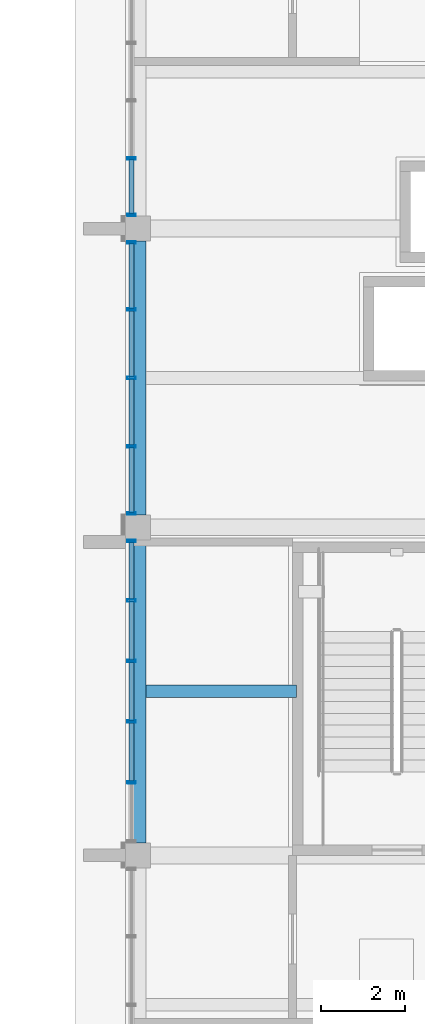
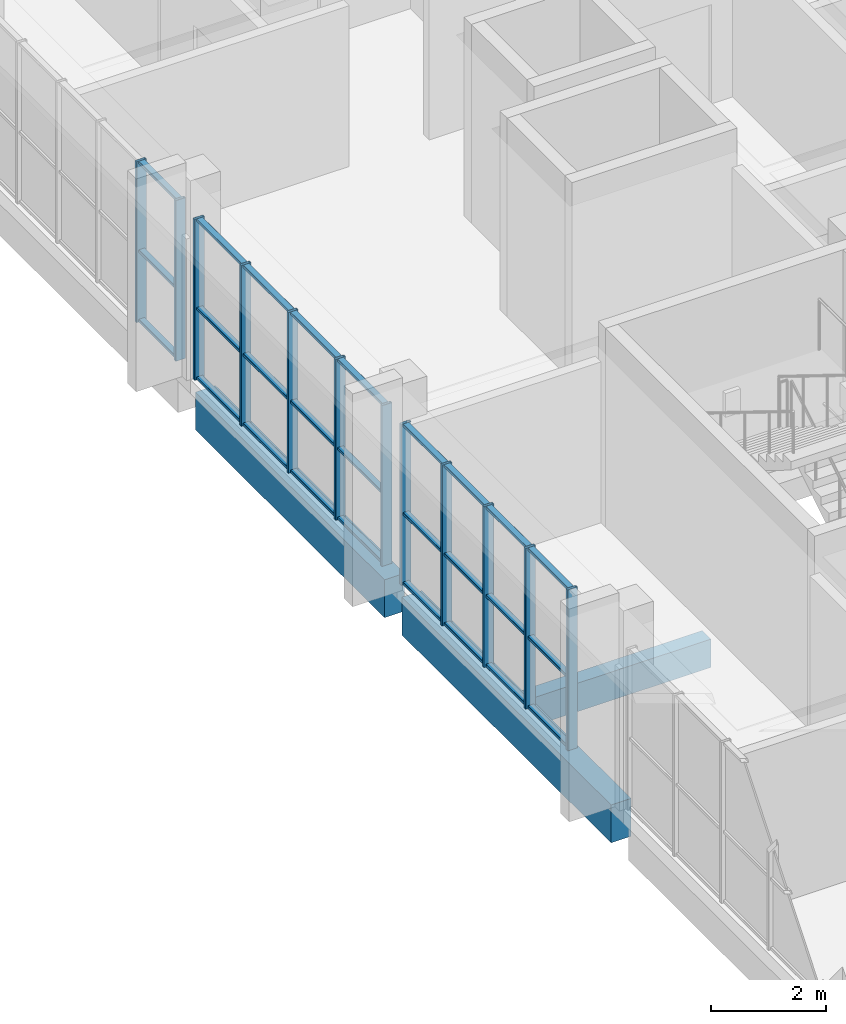
# One storey, part 11 of 42: 39 members, 3 beams, 3 elements without a shape of their own.
"""IFC4 building model written with IfcOpenShell, lengths in metres."""

from ifc_helpers import new_model, si_unit, direction, frame, origin, origin_2d, place, context, subcontext, project, spatial, rectangle, hollow_rectangle, extrude, material, material_profile, profile_set, type_object, element, aggregate, save


model = new_model("IFC4")

# Units and contexts
model_context = context("Model", 3, precision=1e-05, world=origin(), true_north=direction((0.0, 1.0)))
body_context = subcontext(model_context, "Body", "Model", "MODEL_VIEW")
ifc_project = project(units=[si_unit("LENGTHUNIT", "METRE"), si_unit("AREAUNIT", "SQUARE_METRE"), si_unit("VOLUMEUNIT", "CUBIC_METRE"), si_unit("PLANEANGLEUNIT", "RADIAN"), si_unit("MASSUNIT", "GRAM", prefix="KILO")], contexts=[model_context])

# Site, building, storey
site_placement = place(None, origin())
site = spatial("IfcSite", under=ifc_project, at=site_placement, CompositionType="ELEMENT")
building_placement = place(site_placement, origin())
building = spatial("IfcBuilding", under=site, at=building_placement, Name="Sun Court Science Centre", CompositionType="ELEMENT")
storey_placement = place(building_placement, frame((0.0, 0.0, 20.25)))
storey = spatial("IfcBuildingStorey", under=building, at=storey_placement, Name="L04", CompositionType="ELEMENT", Elevation=20.25)

# Curtain wall, members
ifc_material_1 = material(Name="Aluminium EN AW-6063 T6", Category="aluminium")
curtain_wall_type = type_object("IfcCurtainWallType", Name="Laboratory tall bay curtain wall 1500", PredefinedType="NOTDEFINED", material=ifc_material_1)
curtain_wall_1_placement = place(storey_placement, origin())
curtain_wall_1 = element("IfcCurtainWall", 1, at=curtain_wall_1_placement, inside=storey, type_object=curtain_wall_type, Name="Curtain wall V4 W L04 02", PredefinedType="NOTDEFINED")
ifc_material_2 = material(Name="Aluminium EN AW-6063 T6", Category="aluminium")
ifc_material_profile_1 = material_profile(ifc_material_2, hollow_rectangle(XDim=0.06005859375, YDim=0.199951171875, WallThickness=0.0048828125, InnerFilletRadius=0.0048828125, OuterFilletRadius=0.007568359375, at=origin_2d()), Name="AL 60x200x5")
ifc_profile_set_1 = profile_set([ifc_material_profile_1], Name="Aluminium EN AW-6063 T6")
member_type_1 = type_object("IfcMemberType", Name="Curtain wall mullion AL 60x200", PredefinedType="MULLION", material=ifc_profile_set_1)
member_1_placement = place(storey_placement, frame((78.14990234375, 37.75, 0.0), z_axis=(0.0, 0.0, 1.0), x_axis=(0.0, 1.0, 0.0)))
member_1 = element("IfcMember", 2, at=member_1_placement, type_object=member_type_1, Name="CW2-38 mullion 2", PredefinedType="MULLION", context=body_context, shape_type="SweptSolid", body=[
    extrude(hollow_rectangle(XDim=0.06005859375, YDim=0.199951171875, WallThickness=0.0048828125, InnerFilletRadius=0.0048828125, OuterFilletRadius=0.007568359375, at=origin_2d()), origin(), (0.0, 0.0, 1.0), 3.39990234375),
])
member_2_placement = place(storey_placement, frame((78.14990234375, 39.199951171875, 0.0), z_axis=(0.0, 0.0, 1.0), x_axis=(0.0, 1.0, 0.0)))
member_2 = element("IfcMember", 3, at=member_2_placement, type_object=member_type_1, Name="CW2-38 mullion 3", PredefinedType="MULLION", context=body_context, shape_type="SweptSolid", body=[
    extrude(hollow_rectangle(XDim=0.06005859375, YDim=0.199951171875, WallThickness=0.0048828125, InnerFilletRadius=0.0048828125, OuterFilletRadius=0.007568359375, at=origin_2d()), origin(), (0.0, 0.0, 1.0), 3.39990234375),
])
member_3_placement = place(storey_placement, frame((78.14990234375, 40.64990234375, 0.0), z_axis=(0.0, 0.0, 1.0), x_axis=(0.0, 1.0, 0.0)))
member_3 = element("IfcMember", 4, at=member_3_placement, type_object=member_type_1, Name="CW2-38 mullion 4", PredefinedType="MULLION", context=body_context, shape_type="SweptSolid", body=[
    extrude(hollow_rectangle(XDim=0.06005859375, YDim=0.199951171875, WallThickness=0.0048828125, InnerFilletRadius=0.0048828125, OuterFilletRadius=0.007568359375, at=origin_2d()), origin(), (0.0, 0.0, 1.0), 3.39990234375),
])
member_4_placement = place(storey_placement, frame((78.14990234375, 42.10009765625, 0.0), z_axis=(0.0, 0.0, 1.0), x_axis=(0.0, 1.0, 0.0)))
member_4 = element("IfcMember", 5, at=member_4_placement, type_object=member_type_1, Name="CW2-38 mullion 5", PredefinedType="MULLION", context=body_context, shape_type="SweptSolid", body=[
    extrude(hollow_rectangle(XDim=0.06005859375, YDim=0.199951171875, WallThickness=0.0048828125, InnerFilletRadius=0.0048828125, OuterFilletRadius=0.007568359375, at=origin_2d()), origin(), (0.0, 0.0, 1.0), 3.39990234375),
])
member_5_placement = place(storey_placement, frame((78.14990234375, 43.52001953125, 0.0), z_axis=(0.0, 0.0, 1.0), x_axis=(0.0, 1.0, 0.0)))
member_5 = element("IfcMember", 6, at=member_5_placement, type_object=member_type_1, Name="CW2-38 mullion 6", PredefinedType="MULLION", context=body_context, shape_type="SweptSolid", body=[
    extrude(hollow_rectangle(XDim=0.06005859375, YDim=0.199951171875, WallThickness=0.0048828125, InnerFilletRadius=0.0048828125, OuterFilletRadius=0.007568359375, at=origin_2d()), origin(), (0.0, 0.0, 1.0), 3.39990234375),
])

curtain_wall_2_placement = place(storey_placement, origin())
curtain_wall_2 = element("IfcCurtainWall", 7, at=curtain_wall_2_placement, inside=storey, type_object=curtain_wall_type, Name="Curtain wall V4 W L04 03", PredefinedType="NOTDEFINED")
member_6_placement = place(storey_placement, frame((78.14990234375, 44.179931640625, 0.0), z_axis=(0.0, 0.0, 1.0), x_axis=(0.0, 1.0, 0.0)))
member_6 = element("IfcMember", 8, at=member_6_placement, type_object=member_type_1, Name="CW2-39 mullion 1", PredefinedType="MULLION", context=body_context, shape_type="SweptSolid", body=[
    extrude(hollow_rectangle(XDim=0.06005859375, YDim=0.199951171875, WallThickness=0.0048828125, InnerFilletRadius=0.0048828125, OuterFilletRadius=0.007568359375, at=origin_2d()), origin(), (0.0, 0.0, 1.0), 3.39990234375),
])
member_7_placement = place(storey_placement, frame((78.14990234375, 45.78759765625, 0.0), z_axis=(0.0, 0.0, 1.0), x_axis=(0.0, 1.0, 0.0)))
member_7 = element("IfcMember", 9, at=member_7_placement, type_object=member_type_1, Name="CW2-39 mullion 2", PredefinedType="MULLION", context=body_context, shape_type="SweptSolid", body=[
    extrude(hollow_rectangle(XDim=0.06005859375, YDim=0.199951171875, WallThickness=0.0048828125, InnerFilletRadius=0.0048828125, OuterFilletRadius=0.007568359375, at=origin_2d()), origin(), (0.0, 0.0, 1.0), 3.39990234375),
])
member_8_placement = place(storey_placement, frame((78.14990234375, 47.425048828125, 0.0), z_axis=(0.0, 0.0, 1.0), x_axis=(0.0, 1.0, 0.0)))
member_8 = element("IfcMember", 10, at=member_8_placement, type_object=member_type_1, Name="CW2-39 mullion 3", PredefinedType="MULLION", context=body_context, shape_type="SweptSolid", body=[
    extrude(hollow_rectangle(XDim=0.06005859375, YDim=0.199951171875, WallThickness=0.0048828125, InnerFilletRadius=0.0048828125, OuterFilletRadius=0.007568359375, at=origin_2d()), origin(), (0.0, 0.0, 1.0), 3.39990234375),
])
member_9_placement = place(storey_placement, frame((78.14990234375, 49.0625, 0.0), z_axis=(0.0, 0.0, 1.0), x_axis=(0.0, 1.0, 0.0)))
member_9 = element("IfcMember", 11, at=member_9_placement, type_object=member_type_1, Name="CW2-39 mullion 4", PredefinedType="MULLION", context=body_context, shape_type="SweptSolid", body=[
    extrude(hollow_rectangle(XDim=0.06005859375, YDim=0.199951171875, WallThickness=0.0048828125, InnerFilletRadius=0.0048828125, OuterFilletRadius=0.007568359375, at=origin_2d()), origin(), (0.0, 0.0, 1.0), 3.39990234375),
])
member_10_placement = place(storey_placement, frame((78.14990234375, 50.669921875, 0.0), z_axis=(0.0, 0.0, 1.0), x_axis=(0.0, 1.0, 0.0)))
member_10 = element("IfcMember", 12, at=member_10_placement, type_object=member_type_1, Name="CW2-39 mullion 5", PredefinedType="MULLION", context=body_context, shape_type="SweptSolid", body=[
    extrude(hollow_rectangle(XDim=0.06005859375, YDim=0.199951171875, WallThickness=0.0048828125, InnerFilletRadius=0.0048828125, OuterFilletRadius=0.007568359375, at=origin_2d()), origin(), (0.0, 0.0, 1.0), 3.39990234375),
])

curtain_wall_3_placement = place(storey_placement, origin())
curtain_wall_3 = element("IfcCurtainWall", 13, at=curtain_wall_3_placement, inside=storey, type_object=curtain_wall_type, Name="Curtain wall V4 W L04 04", PredefinedType="NOTDEFINED")
member_11_placement = place(storey_placement, frame((78.14990234375, 51.330078125, 0.0), z_axis=(0.0, 0.0, 1.0), x_axis=(0.0, 1.0, 0.0)))
member_11 = element("IfcMember", 14, at=member_11_placement, type_object=member_type_1, Name="CW2-40 mullion 1", PredefinedType="MULLION", context=body_context, shape_type="SweptSolid", body=[
    extrude(hollow_rectangle(XDim=0.06005859375, YDim=0.199951171875, WallThickness=0.0048828125, InnerFilletRadius=0.0048828125, OuterFilletRadius=0.007568359375, at=origin_2d()), origin(), (0.0, 0.0, 1.0), 3.39990234375),
])
member_12_placement = place(storey_placement, frame((78.14990234375, 52.679931640625, 0.0), z_axis=(0.0, 0.0, 1.0), x_axis=(0.0, 1.0, 0.0)))
member_12 = element("IfcMember", 15, at=member_12_placement, type_object=member_type_1, Name="CW2-40 mullion 2", PredefinedType="MULLION", context=body_context, shape_type="SweptSolid", body=[
    extrude(hollow_rectangle(XDim=0.06005859375, YDim=0.199951171875, WallThickness=0.0048828125, InnerFilletRadius=0.0048828125, OuterFilletRadius=0.007568359375, at=origin_2d()), origin(), (0.0, 0.0, 1.0), 3.39990234375),
])

# Member
ifc_material_3 = material(Name="Aluminium EN AW-6063 T6", Category="aluminium")
ifc_material_profile_2 = material_profile(ifc_material_3, hollow_rectangle(XDim=0.06005859375, YDim=0.1201171875, WallThickness=0.00390625, InnerFilletRadius=0.00390625, OuterFilletRadius=0.006103515625, at=origin_2d()), Name="AL 60x120x4")
ifc_profile_set_2 = profile_set([ifc_material_profile_2], Name="Aluminium EN AW-6063 T6")
member_type_2 = type_object("IfcMemberType", Name="Curtain wall transom AL 60x120", PredefinedType="USERDEFINED", material=ifc_profile_set_2)
member_13_placement = place(storey_placement, frame((78.14990234375, 37.780029296875, 0.030029296875), z_axis=(0.0, 1.0, 0.0), x_axis=(0.0, 0.0, 1.0)))
member_13 = element("IfcMember", 16, at=member_13_placement, type_object=member_type_2, Name="CW2-38 transom 2.1", ObjectType="TRANSOM", PredefinedType="USERDEFINED", context=body_context, shape_type="SweptSolid", body=[
    extrude(hollow_rectangle(XDim=0.06005859375, YDim=0.1201171875, WallThickness=0.00390625, InnerFilletRadius=0.00390625, OuterFilletRadius=0.006103515625, at=origin_2d()), origin(), (0.0, 0.0, 1.0), 1.389892578125),
])

member_14_placement = place(storey_placement, frame((78.14990234375, 39.22998046875, 0.030029296875), z_axis=(0.0, 1.0, 0.0), x_axis=(0.0, 0.0, 1.0)))
member_14 = element("IfcMember", 17, at=member_14_placement, type_object=member_type_2, Name="CW2-38 transom 3.1", ObjectType="TRANSOM", PredefinedType="USERDEFINED", context=body_context, shape_type="SweptSolid", body=[
    extrude(hollow_rectangle(XDim=0.06005859375, YDim=0.1201171875, WallThickness=0.00390625, InnerFilletRadius=0.00390625, OuterFilletRadius=0.006103515625, at=origin_2d()), origin(), (0.0, 0.0, 1.0), 1.39013671875),
])

member_15_placement = place(storey_placement, frame((78.14990234375, 40.679931640625, 0.030029296875), z_axis=(0.0, 1.0, 0.0), x_axis=(0.0, 0.0, 1.0)))
member_15 = element("IfcMember", 18, at=member_15_placement, type_object=member_type_2, Name="CW2-38 transom 4.1", ObjectType="TRANSOM", PredefinedType="USERDEFINED", context=body_context, shape_type="SweptSolid", body=[
    extrude(hollow_rectangle(XDim=0.06005859375, YDim=0.1201171875, WallThickness=0.00390625, InnerFilletRadius=0.00390625, OuterFilletRadius=0.006103515625, at=origin_2d()), origin(), (0.0, 0.0, 1.0), 1.39013671875),
])

member_16_placement = place(storey_placement, frame((78.14990234375, 42.1298828125, 0.030029296875), z_axis=(0.0, 1.0, 0.0), x_axis=(0.0, 0.0, 1.0)))
member_16 = element("IfcMember", 19, at=member_16_placement, type_object=member_type_2, Name="CW2-38 transom 5.1", ObjectType="TRANSOM", PredefinedType="USERDEFINED", context=body_context, shape_type="SweptSolid", body=[
    extrude(hollow_rectangle(XDim=0.06005859375, YDim=0.1201171875, WallThickness=0.00390625, InnerFilletRadius=0.00390625, OuterFilletRadius=0.006103515625, at=origin_2d()), origin(), (0.0, 0.0, 1.0), 1.360107421875),
])

member_17_placement = place(storey_placement, frame((78.14990234375, 37.780029296875, 1.5), z_axis=(0.0, 1.0, 0.0), x_axis=(0.0, 0.0, 1.0)))
member_17 = element("IfcMember", 20, at=member_17_placement, type_object=member_type_2, Name="CW2-38 transom 2.2", ObjectType="TRANSOM", PredefinedType="USERDEFINED", context=body_context, shape_type="SweptSolid", body=[
    extrude(hollow_rectangle(XDim=0.06005859375, YDim=0.1201171875, WallThickness=0.00390625, InnerFilletRadius=0.00390625, OuterFilletRadius=0.006103515625, at=origin_2d()), origin(), (0.0, 0.0, 1.0), 1.389892578125),
])

member_18_placement = place(storey_placement, frame((78.14990234375, 39.22998046875, 1.5), z_axis=(0.0, 1.0, 0.0), x_axis=(0.0, 0.0, 1.0)))
member_18 = element("IfcMember", 21, at=member_18_placement, type_object=member_type_2, Name="CW2-38 transom 3.2", ObjectType="TRANSOM", PredefinedType="USERDEFINED", context=body_context, shape_type="SweptSolid", body=[
    extrude(hollow_rectangle(XDim=0.06005859375, YDim=0.1201171875, WallThickness=0.00390625, InnerFilletRadius=0.00390625, OuterFilletRadius=0.006103515625, at=origin_2d()), origin(), (0.0, 0.0, 1.0), 1.39013671875),
])

member_19_placement = place(storey_placement, frame((78.14990234375, 40.679931640625, 1.5), z_axis=(0.0, 1.0, 0.0), x_axis=(0.0, 0.0, 1.0)))
member_19 = element("IfcMember", 22, at=member_19_placement, type_object=member_type_2, Name="CW2-38 transom 4.2", ObjectType="TRANSOM", PredefinedType="USERDEFINED", context=body_context, shape_type="SweptSolid", body=[
    extrude(hollow_rectangle(XDim=0.06005859375, YDim=0.1201171875, WallThickness=0.00390625, InnerFilletRadius=0.00390625, OuterFilletRadius=0.006103515625, at=origin_2d()), origin(), (0.0, 0.0, 1.0), 1.39013671875),
])

member_20_placement = place(storey_placement, frame((78.14990234375, 42.1298828125, 1.5), z_axis=(0.0, 1.0, 0.0), x_axis=(0.0, 0.0, 1.0)))
member_20 = element("IfcMember", 23, at=member_20_placement, type_object=member_type_2, Name="CW2-38 transom 5.2", ObjectType="TRANSOM", PredefinedType="USERDEFINED", context=body_context, shape_type="SweptSolid", body=[
    extrude(hollow_rectangle(XDim=0.06005859375, YDim=0.1201171875, WallThickness=0.00390625, InnerFilletRadius=0.00390625, OuterFilletRadius=0.006103515625, at=origin_2d()), origin(), (0.0, 0.0, 1.0), 1.360107421875),
])

member_21_placement = place(storey_placement, frame((78.14990234375, 37.780029296875, 3.3701171875), z_axis=(0.0, 1.0, 0.0), x_axis=(0.0, 0.0, 1.0)))
member_21 = element("IfcMember", 24, at=member_21_placement, type_object=member_type_2, Name="CW2-38 transom 2.3", ObjectType="TRANSOM", PredefinedType="USERDEFINED", context=body_context, shape_type="SweptSolid", body=[
    extrude(hollow_rectangle(XDim=0.06005859375, YDim=0.1201171875, WallThickness=0.00390625, InnerFilletRadius=0.00390625, OuterFilletRadius=0.006103515625, at=origin_2d()), origin(), (0.0, 0.0, 1.0), 1.389892578125),
])

member_22_placement = place(storey_placement, frame((78.14990234375, 39.22998046875, 3.3701171875), z_axis=(0.0, 1.0, 0.0), x_axis=(0.0, 0.0, 1.0)))
member_22 = element("IfcMember", 25, at=member_22_placement, type_object=member_type_2, Name="CW2-38 transom 3.3", ObjectType="TRANSOM", PredefinedType="USERDEFINED", context=body_context, shape_type="SweptSolid", body=[
    extrude(hollow_rectangle(XDim=0.06005859375, YDim=0.1201171875, WallThickness=0.00390625, InnerFilletRadius=0.00390625, OuterFilletRadius=0.006103515625, at=origin_2d()), origin(), (0.0, 0.0, 1.0), 1.39013671875),
])

member_23_placement = place(storey_placement, frame((78.14990234375, 40.679931640625, 3.3701171875), z_axis=(0.0, 1.0, 0.0), x_axis=(0.0, 0.0, 1.0)))
member_23 = element("IfcMember", 26, at=member_23_placement, type_object=member_type_2, Name="CW2-38 transom 4.3", ObjectType="TRANSOM", PredefinedType="USERDEFINED", context=body_context, shape_type="SweptSolid", body=[
    extrude(hollow_rectangle(XDim=0.06005859375, YDim=0.1201171875, WallThickness=0.00390625, InnerFilletRadius=0.00390625, OuterFilletRadius=0.006103515625, at=origin_2d()), origin(), (0.0, 0.0, 1.0), 1.39013671875),
])

member_24_placement = place(storey_placement, frame((78.14990234375, 42.1298828125, 3.3701171875), z_axis=(0.0, 1.0, 0.0), x_axis=(0.0, 0.0, 1.0)))
member_24 = element("IfcMember", 27, at=member_24_placement, type_object=member_type_2, Name="CW2-38 transom 5.3", ObjectType="TRANSOM", PredefinedType="USERDEFINED", context=body_context, shape_type="SweptSolid", body=[
    extrude(hollow_rectangle(XDim=0.06005859375, YDim=0.1201171875, WallThickness=0.00390625, InnerFilletRadius=0.00390625, OuterFilletRadius=0.006103515625, at=origin_2d()), origin(), (0.0, 0.0, 1.0), 1.360107421875),
])

aggregate(curtain_wall_1, [member_1, member_2, member_3, member_4, member_5, member_13, member_14, member_15, member_16, member_17, member_18, member_19, member_20, member_21, member_22, member_23, member_24])

member_25_placement = place(storey_placement, frame((78.14990234375, 44.2099609375, 0.030029296875), z_axis=(0.0, 1.0, 0.0), x_axis=(0.0, 0.0, 1.0)))
member_25 = element("IfcMember", 28, at=member_25_placement, type_object=member_type_2, Name="CW2-39 transom 1.1", ObjectType="TRANSOM", PredefinedType="USERDEFINED", context=body_context, shape_type="SweptSolid", body=[
    extrude(hollow_rectangle(XDim=0.06005859375, YDim=0.1201171875, WallThickness=0.00390625, InnerFilletRadius=0.00390625, OuterFilletRadius=0.006103515625, at=origin_2d()), origin(), (0.0, 0.0, 1.0), 1.547607421875),
])

member_26_placement = place(storey_placement, frame((78.14990234375, 45.8173828125, 0.030029296875), z_axis=(0.0, 1.0, 0.0), x_axis=(0.0, 0.0, 1.0)))
member_26 = element("IfcMember", 29, at=member_26_placement, type_object=member_type_2, Name="CW2-39 transom 2.1", ObjectType="TRANSOM", PredefinedType="USERDEFINED", context=body_context, shape_type="SweptSolid", body=[
    extrude(hollow_rectangle(XDim=0.06005859375, YDim=0.1201171875, WallThickness=0.00390625, InnerFilletRadius=0.00390625, OuterFilletRadius=0.006103515625, at=origin_2d()), origin(), (0.0, 0.0, 1.0), 1.57763671875),
])

member_27_placement = place(storey_placement, frame((78.14990234375, 47.455078125, 0.030029296875), z_axis=(0.0, 1.0, 0.0), x_axis=(0.0, 0.0, 1.0)))
member_27 = element("IfcMember", 30, at=member_27_placement, type_object=member_type_2, Name="CW2-39 transom 3.1", ObjectType="TRANSOM", PredefinedType="USERDEFINED", context=body_context, shape_type="SweptSolid", body=[
    extrude(hollow_rectangle(XDim=0.06005859375, YDim=0.1201171875, WallThickness=0.00390625, InnerFilletRadius=0.00390625, OuterFilletRadius=0.006103515625, at=origin_2d()), origin(), (0.0, 0.0, 1.0), 1.577392578125),
])

member_28_placement = place(storey_placement, frame((78.14990234375, 49.092529296875, 0.030029296875), z_axis=(0.0, 1.0, 0.0), x_axis=(0.0, 0.0, 1.0)))
member_28 = element("IfcMember", 31, at=member_28_placement, type_object=member_type_2, Name="CW2-39 transom 4.1", ObjectType="TRANSOM", PredefinedType="USERDEFINED", context=body_context, shape_type="SweptSolid", body=[
    extrude(hollow_rectangle(XDim=0.06005859375, YDim=0.1201171875, WallThickness=0.00390625, InnerFilletRadius=0.00390625, OuterFilletRadius=0.006103515625, at=origin_2d()), origin(), (0.0, 0.0, 1.0), 1.54736328125),
])

member_29_placement = place(storey_placement, frame((78.14990234375, 44.2099609375, 1.5), z_axis=(0.0, 1.0, 0.0), x_axis=(0.0, 0.0, 1.0)))
member_29 = element("IfcMember", 32, at=member_29_placement, type_object=member_type_2, Name="CW2-39 transom 1.2", ObjectType="TRANSOM", PredefinedType="USERDEFINED", context=body_context, shape_type="SweptSolid", body=[
    extrude(hollow_rectangle(XDim=0.06005859375, YDim=0.1201171875, WallThickness=0.00390625, InnerFilletRadius=0.00390625, OuterFilletRadius=0.006103515625, at=origin_2d()), origin(), (0.0, 0.0, 1.0), 1.547607421875),
])

member_30_placement = place(storey_placement, frame((78.14990234375, 45.8173828125, 1.5), z_axis=(0.0, 1.0, 0.0), x_axis=(0.0, 0.0, 1.0)))
member_30 = element("IfcMember", 33, at=member_30_placement, type_object=member_type_2, Name="CW2-39 transom 2.2", ObjectType="TRANSOM", PredefinedType="USERDEFINED", context=body_context, shape_type="SweptSolid", body=[
    extrude(hollow_rectangle(XDim=0.06005859375, YDim=0.1201171875, WallThickness=0.00390625, InnerFilletRadius=0.00390625, OuterFilletRadius=0.006103515625, at=origin_2d()), origin(), (0.0, 0.0, 1.0), 1.57763671875),
])

member_31_placement = place(storey_placement, frame((78.14990234375, 47.455078125, 1.5), z_axis=(0.0, 1.0, 0.0), x_axis=(0.0, 0.0, 1.0)))
member_31 = element("IfcMember", 34, at=member_31_placement, type_object=member_type_2, Name="CW2-39 transom 3.2", ObjectType="TRANSOM", PredefinedType="USERDEFINED", context=body_context, shape_type="SweptSolid", body=[
    extrude(hollow_rectangle(XDim=0.06005859375, YDim=0.1201171875, WallThickness=0.00390625, InnerFilletRadius=0.00390625, OuterFilletRadius=0.006103515625, at=origin_2d()), origin(), (0.0, 0.0, 1.0), 1.577392578125),
])

member_32_placement = place(storey_placement, frame((78.14990234375, 49.092529296875, 1.5), z_axis=(0.0, 1.0, 0.0), x_axis=(0.0, 0.0, 1.0)))
member_32 = element("IfcMember", 35, at=member_32_placement, type_object=member_type_2, Name="CW2-39 transom 4.2", ObjectType="TRANSOM", PredefinedType="USERDEFINED", context=body_context, shape_type="SweptSolid", body=[
    extrude(hollow_rectangle(XDim=0.06005859375, YDim=0.1201171875, WallThickness=0.00390625, InnerFilletRadius=0.00390625, OuterFilletRadius=0.006103515625, at=origin_2d()), origin(), (0.0, 0.0, 1.0), 1.54736328125),
])

member_33_placement = place(storey_placement, frame((78.14990234375, 44.2099609375, 3.3701171875), z_axis=(0.0, 1.0, 0.0), x_axis=(0.0, 0.0, 1.0)))
member_33 = element("IfcMember", 36, at=member_33_placement, type_object=member_type_2, Name="CW2-39 transom 1.3", ObjectType="TRANSOM", PredefinedType="USERDEFINED", context=body_context, shape_type="SweptSolid", body=[
    extrude(hollow_rectangle(XDim=0.06005859375, YDim=0.1201171875, WallThickness=0.00390625, InnerFilletRadius=0.00390625, OuterFilletRadius=0.006103515625, at=origin_2d()), origin(), (0.0, 0.0, 1.0), 1.547607421875),
])

member_34_placement = place(storey_placement, frame((78.14990234375, 45.8173828125, 3.3701171875), z_axis=(0.0, 1.0, 0.0), x_axis=(0.0, 0.0, 1.0)))
member_34 = element("IfcMember", 37, at=member_34_placement, type_object=member_type_2, Name="CW2-39 transom 2.3", ObjectType="TRANSOM", PredefinedType="USERDEFINED", context=body_context, shape_type="SweptSolid", body=[
    extrude(hollow_rectangle(XDim=0.06005859375, YDim=0.1201171875, WallThickness=0.00390625, InnerFilletRadius=0.00390625, OuterFilletRadius=0.006103515625, at=origin_2d()), origin(), (0.0, 0.0, 1.0), 1.57763671875),
])

member_35_placement = place(storey_placement, frame((78.14990234375, 47.455078125, 3.3701171875), z_axis=(0.0, 1.0, 0.0), x_axis=(0.0, 0.0, 1.0)))
member_35 = element("IfcMember", 38, at=member_35_placement, type_object=member_type_2, Name="CW2-39 transom 3.3", ObjectType="TRANSOM", PredefinedType="USERDEFINED", context=body_context, shape_type="SweptSolid", body=[
    extrude(hollow_rectangle(XDim=0.06005859375, YDim=0.1201171875, WallThickness=0.00390625, InnerFilletRadius=0.00390625, OuterFilletRadius=0.006103515625, at=origin_2d()), origin(), (0.0, 0.0, 1.0), 1.577392578125),
])

member_36_placement = place(storey_placement, frame((78.14990234375, 49.092529296875, 3.3701171875), z_axis=(0.0, 1.0, 0.0), x_axis=(0.0, 0.0, 1.0)))
member_36 = element("IfcMember", 39, at=member_36_placement, type_object=member_type_2, Name="CW2-39 transom 4.3", ObjectType="TRANSOM", PredefinedType="USERDEFINED", context=body_context, shape_type="SweptSolid", body=[
    extrude(hollow_rectangle(XDim=0.06005859375, YDim=0.1201171875, WallThickness=0.00390625, InnerFilletRadius=0.00390625, OuterFilletRadius=0.006103515625, at=origin_2d()), origin(), (0.0, 0.0, 1.0), 1.54736328125),
])

aggregate(curtain_wall_2, [member_6, member_7, member_8, member_9, member_10, member_25, member_26, member_27, member_28, member_29, member_30, member_31, member_32, member_33, member_34, member_35, member_36])

member_37_placement = place(storey_placement, frame((78.14990234375, 51.360107421875, 0.030029296875), z_axis=(0.0, 1.0, 0.0), x_axis=(0.0, 0.0, 1.0)))
member_37 = element("IfcMember", 40, at=member_37_placement, type_object=member_type_2, Name="CW2-40 transom 1.1", ObjectType="TRANSOM", PredefinedType="USERDEFINED", context=body_context, shape_type="SweptSolid", body=[
    extrude(hollow_rectangle(XDim=0.06005859375, YDim=0.1201171875, WallThickness=0.00390625, InnerFilletRadius=0.00390625, OuterFilletRadius=0.006103515625, at=origin_2d()), origin(), (0.0, 0.0, 1.0), 1.289794921875),
])

member_38_placement = place(storey_placement, frame((78.14990234375, 51.360107421875, 1.5), z_axis=(0.0, 1.0, 0.0), x_axis=(0.0, 0.0, 1.0)))
member_38 = element("IfcMember", 41, at=member_38_placement, type_object=member_type_2, Name="CW2-40 transom 1.2", ObjectType="TRANSOM", PredefinedType="USERDEFINED", context=body_context, shape_type="SweptSolid", body=[
    extrude(hollow_rectangle(XDim=0.06005859375, YDim=0.1201171875, WallThickness=0.00390625, InnerFilletRadius=0.00390625, OuterFilletRadius=0.006103515625, at=origin_2d()), origin(), (0.0, 0.0, 1.0), 1.289794921875),
])

member_39_placement = place(storey_placement, frame((78.14990234375, 51.360107421875, 3.3701171875), z_axis=(0.0, 1.0, 0.0), x_axis=(0.0, 0.0, 1.0)))
member_39 = element("IfcMember", 42, at=member_39_placement, type_object=member_type_2, Name="CW2-40 transom 1.3", ObjectType="TRANSOM", PredefinedType="USERDEFINED", context=body_context, shape_type="SweptSolid", body=[
    extrude(hollow_rectangle(XDim=0.06005859375, YDim=0.1201171875, WallThickness=0.00390625, InnerFilletRadius=0.00390625, OuterFilletRadius=0.006103515625, at=origin_2d()), origin(), (0.0, 0.0, 1.0), 1.289794921875),
])

aggregate(curtain_wall_3, [member_11, member_12, member_37, member_38, member_39])

# Beams
ifc_material_4 = material(Name="Concrete C25/30", Category="concrete")
ifc_material_profile_3 = material_profile(ifc_material_4, rectangle(XDim=0.39990234375, YDim=0.800048828125, at=origin_2d()), Name="RC 400x800")
ifc_profile_set_3 = profile_set([ifc_material_profile_3], Name="Concrete C25/30")
beam_type_1 = type_object("IfcBeamType", Name="RC girder 400x800", PredefinedType="BEAM", material=ifc_profile_set_3)
beam_1_placement = place(storey_placement, frame((78.300048828125, 36.300048828125, -0.699951171875), z_axis=(0.0, 1.0, 0.0), x_axis=(-1.0, 0.0, 0.0)))
element("IfcBeam", 43, at=beam_1_placement, inside=storey, type_object=beam_type_1, Name="Girder L04 line 1", PredefinedType="BEAM", context=body_context, shape_type="SweptSolid", body=[
    extrude(rectangle(XDim=0.39990234375, YDim=0.800048828125, at=origin_2d()), origin(), (0.0, 0.0, 1.0), 7.25),
])
beam_2_placement = place(storey_placement, frame((78.300048828125, 44.14990234375, -0.699951171875), z_axis=(0.0, 1.0, 0.0), x_axis=(-1.0, 0.0, 0.0)))
element("IfcBeam", 44, at=beam_2_placement, inside=storey, type_object=beam_type_1, Name="Girder L04 line 1", PredefinedType="BEAM", context=body_context, shape_type="SweptSolid", body=[
    extrude(rectangle(XDim=0.39990234375, YDim=0.800048828125, at=origin_2d()), origin(), (0.0, 0.0, 1.0), 6.550048828125),
])
ifc_material_5 = material(Name="Concrete C25/30", Category="concrete")
ifc_material_profile_4 = material_profile(ifc_material_5, rectangle(XDim=0.300048828125, YDim=0.60009765625, at=origin_2d()), Name="RC 300x600")
ifc_profile_set_4 = profile_set([ifc_material_profile_4], Name="Concrete C25/30")
beam_type_2 = type_object("IfcBeamType", Name="RC joist 300x600", PredefinedType="JOIST", material=ifc_profile_set_4)
beam_3_placement = place(storey_placement, frame((78.5, 39.925048828125, -0.60009765625), z_axis=(1.0, 0.0, 0.0), x_axis=(0.0, 1.0, 0.0)))
element("IfcBeam", 45, at=beam_3_placement, inside=storey, type_object=beam_type_2, Name="Joist L04", PredefinedType="JOIST", context=body_context, shape_type="SweptSolid", body=[
    extrude(rectangle(XDim=0.300048828125, YDim=0.60009765625, at=origin_2d()), origin(), (0.0, 0.0, 1.0), 3.60009765625),
])

save(model, "model.ifc")
